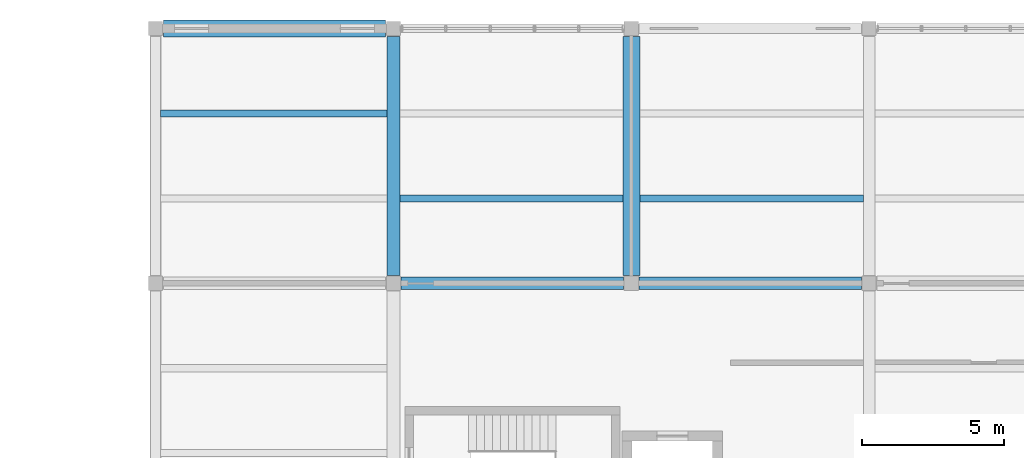
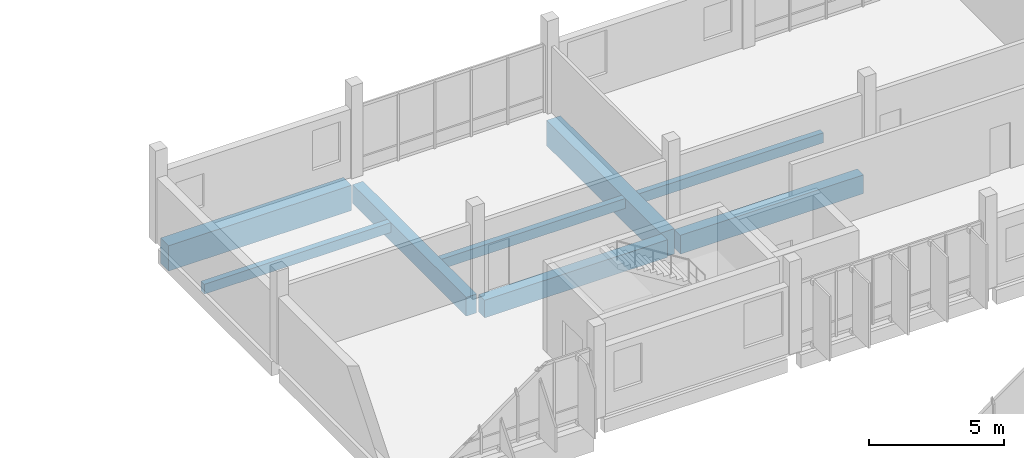
# One storey, part 40 of 107: 8 beams.
"""IFC4 building model written with IfcOpenShell, lengths in metres."""

from ifc_helpers import new_model, si_unit, direction, frame, origin, origin_2d, place, context, subcontext, project, spatial, rectangle, extrude, material, material_profile, profile_set, type_object, element, save


model = new_model("IFC4")

# Units and contexts
model_context = context("Model", 3, precision=1e-05, world=origin(), true_north=direction((0.0, 1.0)))
body_context = subcontext(model_context, "Body", "Model", "MODEL_VIEW")
ifc_project = project(units=[si_unit("LENGTHUNIT", "METRE"), si_unit("AREAUNIT", "SQUARE_METRE"), si_unit("VOLUMEUNIT", "CUBIC_METRE"), si_unit("PLANEANGLEUNIT", "RADIAN"), si_unit("MASSUNIT", "GRAM", prefix="KILO")], contexts=[model_context])

# Site, building, storey
site_placement = place(None, origin())
site = spatial("IfcSite", under=ifc_project, at=site_placement, CompositionType="ELEMENT")
building_placement = place(site_placement, origin())
building = spatial("IfcBuilding", under=site, at=building_placement, Name="Vireocrest Preparatory School", CompositionType="ELEMENT")
storey_placement = place(building_placement, frame((0.0, 0.0, 13.199951171875)))
storey = spatial("IfcBuildingStorey", under=building, at=storey_placement, Name="L03", CompositionType="ELEMENT", Elevation=13.199951171875)

# Beams
ifc_material = material(Name="Concrete 40 MPa", Category="concrete")
ifc_material_profile_1 = material_profile(ifc_material, rectangle(XDim=0.449951171875, YDim=0.85009765625, at=origin_2d()), Name="RC 450x850")
ifc_profile_set_1 = profile_set([ifc_material_profile_1], Name="Concrete 40 MPa")
beam_type_1 = type_object("IfcBeamType", Name="RC Heavy Floor Girder 450x850", PredefinedType="BEAM", material=ifc_profile_set_1)
beam_1_placement = place(storey_placement, frame((59.074951171875, 103.800048828125, -0.6650390625), z_axis=(1.0, 0.0, 0.0), x_axis=(0.0, 1.0, 0.0)))
element("IfcBeam", 1, at=beam_1_placement, inside=storey, type_object=beam_type_1, Name="Primary Girder B13 L03-1091", PredefinedType="BEAM", context=body_context, shape_type="SweptSolid", body=[
    extrude(rectangle(XDim=0.449951171875, YDim=0.85009765625, at=origin_2d()), origin(), (0.0, 0.0, 1.0), 7.85009765625),
])
beam_2_placement = place(storey_placement, frame((50.39990234375, 104.074951171875, -0.6650390625), z_axis=(0.0, 1.0, 0.0), x_axis=(-1.0, 0.0, 0.0)))
element("IfcBeam", 2, at=beam_2_placement, inside=storey, type_object=beam_type_1, Name="Primary Girder B13 L03-1122", PredefinedType="BEAM", context=body_context, shape_type="SweptSolid", body=[
    extrude(rectangle(XDim=0.449951171875, YDim=0.85009765625, at=origin_2d()), origin(), (0.0, 0.0, 1.0), 8.449951171875),
])
ifc_material_profile_2 = material_profile(ifc_material, rectangle(XDim=0.60009765625, YDim=1.14990234375, at=origin_2d()), Name="RC 600x1150")
ifc_profile_set_2 = profile_set([ifc_material_profile_2], Name="Concrete 40 MPa")
beam_type_2 = type_object("IfcBeamType", Name="RC Heavy Transfer Girder 600x1150", PredefinedType="BEAM", material=ifc_profile_set_2)
beam_3_placement = place(storey_placement, frame((42.27490234375, 112.800048828125, -0.81494140625), z_axis=(1.0, 0.0, 0.0), x_axis=(0.0, 1.0, 0.0)))
element("IfcBeam", 3, at=beam_3_placement, inside=storey, type_object=beam_type_2, Name="Primary Girder B20 L03-1098", PredefinedType="BEAM", context=body_context, shape_type="SweptSolid", body=[
    extrude(rectangle(XDim=0.60009765625, YDim=1.14990234375, at=origin_2d()), origin(), (0.0, 0.0, 1.0), 7.85009765625),
])
beam_4_placement = place(storey_placement, frame((58.800048828125, 104.074951171875, -0.81494140625), z_axis=(0.0, 1.0, 0.0), x_axis=(-1.0, 0.0, 0.0)))
element("IfcBeam", 4, at=beam_4_placement, inside=storey, type_object=beam_type_2, Name="Primary Girder B20 L03-1129", PredefinedType="BEAM", context=body_context, shape_type="SweptSolid", body=[
    extrude(rectangle(XDim=0.60009765625, YDim=1.14990234375, at=origin_2d()), origin(), (0.0, 0.0, 1.0), 8.449951171875),
])
ifc_material_profile_3 = material_profile(ifc_material, rectangle(XDim=0.449951171875, YDim=0.800048828125, at=origin_2d()), Name="RC 450x800")
ifc_profile_set_3 = profile_set([ifc_material_profile_3], Name="Concrete 40 MPa")
beam_type_3 = type_object("IfcBeamType", Name="RC Library Stack Girder 450x800", PredefinedType="BEAM", material=ifc_profile_set_3)
beam_5_placement = place(storey_placement, frame((50.675048828125, 103.800048828125, -0.639892578125), z_axis=(1.0, 0.0, 0.0), x_axis=(0.0, 1.0, 0.0)))
element("IfcBeam", 5, at=beam_5_placement, inside=storey, type_object=beam_type_3, Name="Primary Girder B12 L03-1090", PredefinedType="BEAM", context=body_context, shape_type="SweptSolid", body=[
    extrude(rectangle(XDim=0.449951171875, YDim=0.800048828125, at=origin_2d()), origin(), (0.0, 0.0, 1.0), 7.849853515625),
])
ifc_material_profile_4 = material_profile(ifc_material, rectangle(XDim=0.25, YDim=0.449951171875, at=origin_2d()), Name="RC 250x450")
ifc_profile_set_4 = profile_set([ifc_material_profile_4], Name="Concrete 40 MPa")
beam_type_4 = type_object("IfcBeamType", Name="RC Secondary Floor Joist 250x450", PredefinedType="JOIST", material=ifc_profile_set_4)
beam_6_placement = place(storey_placement, frame((42.175048828125, 109.800048828125, -0.46484375), z_axis=(1.0, 0.0, 0.0), x_axis=(0.0, 1.0, 0.0)))
element("IfcBeam", 6, at=beam_6_placement, inside=storey, type_object=beam_type_4, Name="Secondary Joist J01 L03-1198", PredefinedType="JOIST", context=body_context, shape_type="SweptSolid", body=[
    extrude(rectangle(XDim=0.25, YDim=0.449951171875, at=origin_2d()), origin(), (0.0, 0.0, 1.0), 8.0),
])
beam_7_placement = place(storey_placement, frame((50.625, 106.800048828125, -0.46484375), z_axis=(1.0, 0.0, 0.0), x_axis=(0.0, 1.0, 0.0)))
element("IfcBeam", 7, at=beam_7_placement, inside=storey, type_object=beam_type_4, Name="Secondary Joist J01 L03-1209", PredefinedType="JOIST", context=body_context, shape_type="SweptSolid", body=[
    extrude(rectangle(XDim=0.25, YDim=0.449951171875, at=origin_2d()), origin(), (0.0, 0.0, 1.0), 7.875),
])
beam_8_placement = place(storey_placement, frame((59.10009765625, 106.800048828125, -0.46484375), z_axis=(1.0, 0.0, 0.0), x_axis=(0.0, 1.0, 0.0)))
element("IfcBeam", 8, at=beam_8_placement, inside=storey, type_object=beam_type_4, Name="Secondary Joist J01 L03-1223", PredefinedType="JOIST", context=body_context, shape_type="SweptSolid", body=[
    extrude(rectangle(XDim=0.25, YDim=0.449951171875, at=origin_2d()), origin(), (0.0, 0.0, 1.0), 7.89990234375),
])

save(model, "model.ifc")
